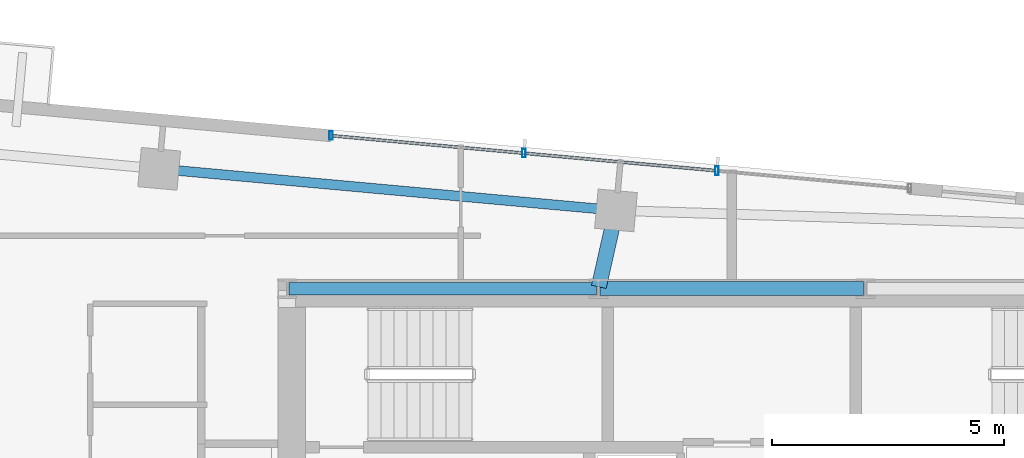
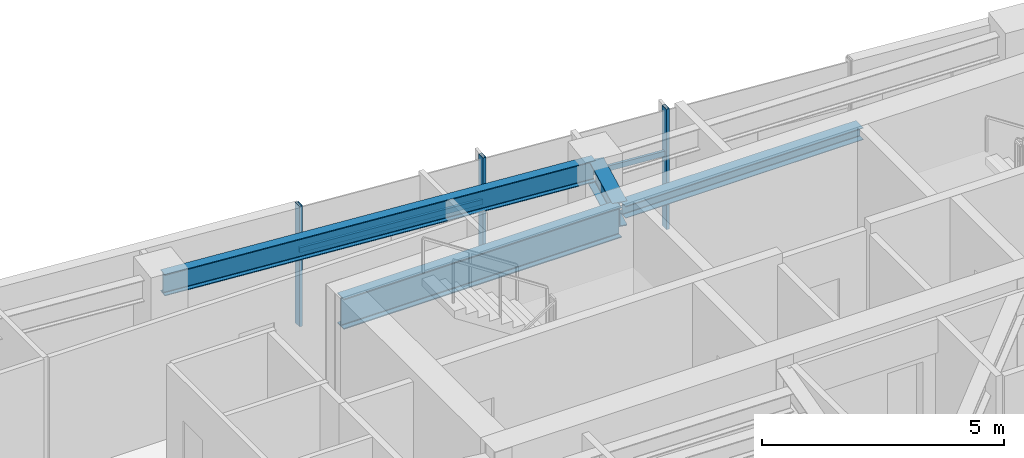
# One storey, part 10 of 22: 5 members, 4 beams, 1 element without a shape of its own.
"""IFC4 building model written with IfcOpenShell, lengths in metres."""

from ifc_helpers import new_model, si_unit, direction, frame, origin, origin_2d, place, context, subcontext, project, spatial, hollow_rectangle, i_section, extrude, source, transform, mapped, material, material_profile, profile_set, type_object, type_shapes, element, aggregate, save


model = new_model("IFC4")

# Units and contexts
model_context = context("Model", 3, precision=1e-05, world=origin(), true_north=direction((0.0, 1.0)))
body_context = subcontext(model_context, "Body", "Model", "MODEL_VIEW")
ifc_project = project(units=[si_unit("LENGTHUNIT", "METRE"), si_unit("AREAUNIT", "SQUARE_METRE"), si_unit("VOLUMEUNIT", "CUBIC_METRE"), si_unit("PLANEANGLEUNIT", "RADIAN"), si_unit("MASSUNIT", "GRAM", prefix="KILO")], contexts=[model_context])

# Site, building, storey
site_placement = place(None, origin())
site = spatial("IfcSite", under=ifc_project, at=site_placement, CompositionType="ELEMENT")
building_placement = place(site_placement, origin())
building = spatial("IfcBuilding", under=site, at=building_placement, Name="Astriad Promenade Condominiums", CompositionType="ELEMENT")
storey_placement = place(building_placement, frame((0.0, 0.0, 229.800048828125)))
storey = spatial("IfcBuildingStorey", under=building, at=storey_placement, Name="L66", CompositionType="ELEMENT", Elevation=229.800048828125)

# Beams
ifc_material_1 = material(Name="Steel ASTM A992 Grade 50", Category="steel")
ifc_material_profile_1 = material_profile(ifc_material_1, i_section(OverallWidth=0.267822265625, OverallDepth=0.76953125, WebThickness=0.015625, FlangeThickness=0.025390625, FilletRadius=0.021484375, at=origin_2d()), Name="W30X132")
ifc_profile_set_1 = profile_set([ifc_material_profile_1], Name="Steel ASTM A992 Grade 50")
beam_type_1 = type_object("IfcBeamType", Name="STEEL FLOOR GIRDER W30X132", PredefinedType="BEAM", material=ifc_profile_set_1)
shared_shape_1 = source(origin(), body_context, "Body", "SweptSolid", [
    extrude(i_section(OverallWidth=0.267822265625, OverallDepth=0.76953125, WebThickness=0.015625, FlangeThickness=0.025390625, FilletRadius=0.021484375, at=origin_2d()), origin(), (0.0, 0.0, 1.0), 6.64013671875),
])
type_shapes(beam_type_1, [shared_shape_1])
beam_1_placement = place(storey_placement, frame((26.43994140625, 24.0, 2.655029296875), z_axis=(1.0, 0.0, 0.0), x_axis=(0.0, 1.0, 0.0)))
element("IfcBeam", 1, at=beam_1_placement, inside=storey, type_object=beam_type_1, Name="Core Ring Beam CG-N1-L66", PredefinedType="BEAM", context=body_context, shape_type="MappedRepresentation", body=[
    mapped(shared_shape_1, transform((0.0, 0.0, 0.0), scale=1.0)),
])
ifc_material_profile_2 = material_profile(ifc_material_1, i_section(OverallWidth=0.3046875, OverallDepth=0.307861328125, WebThickness=0.010009765625, FlangeThickness=0.015380859375, FilletRadius=0.01513671875, at=origin_2d()), Name="W12X65")
ifc_profile_set_2 = profile_set([ifc_material_profile_2], Name="Steel ASTM A992 Grade 50")
beam_type_2 = type_object("IfcBeamType", Name="STEEL OPENING LINTEL W12X65", PredefinedType="LINTEL", material=ifc_profile_set_2)
shared_shape_2 = source(origin(), body_context, "Body", "SweptSolid", [
    extrude(i_section(OverallWidth=0.3046875, OverallDepth=0.307861328125, WebThickness=0.010009765625, FlangeThickness=0.015380859375, FilletRadius=0.01513671875, at=origin_2d()), origin(), (0.0, 0.0, 1.0), 5.68017578125),
])
type_shapes(beam_type_2, [shared_shape_2])
beam_2_placement = place(storey_placement, frame((33.159912109375, 24.0, 2.885986328125), z_axis=(1.0, 0.0, 0.0), x_axis=(0.0, 1.0, 0.0)))
element("IfcBeam", 2, at=beam_2_placement, inside=storey, type_object=beam_type_2, Name="Core Ring Beam CG-N2-L66", PredefinedType="LINTEL", context=body_context, shape_type="MappedRepresentation", body=[
    mapped(shared_shape_2, transform((0.0, 0.0, 0.0), scale=1.0)),
])
ifc_material_profile_3 = material_profile(ifc_material_1, i_section(OverallWidth=0.210693359375, OverallDepth=0.53955078125, WebThickness=0.01171875, FlangeThickness=0.018798828125, FilletRadius=0.0166015625, at=origin_2d()), Name="W21X73")
ifc_profile_set_3 = profile_set([ifc_material_profile_3], Name="Steel ASTM A992 Grade 50")
beam_type_3 = type_object("IfcBeamType", Name="STEEL SPANDREL BEAM W21X73", PredefinedType="SPANDREL", material=ifc_profile_set_3)
shared_shape_3 = source(origin(), body_context, "Body", "SweptSolid", [
    extrude(i_section(OverallWidth=0.210693359375, OverallDepth=0.53955078125, WebThickness=0.01171875, FlangeThickness=0.018798828125, FilletRadius=0.0166015625, at=origin_2d()), origin(), (0.0, 0.0, 1.0), 9.820068359375),
])
type_shapes(beam_type_3, [shared_shape_3])
beam_3_placement = place(storey_placement, frame((33.4599609375, 25.69189453125, 2.770263671875), z_axis=(-0.995885663174, 0.090618683965, 0.0), x_axis=(-0.090618683965, -0.995885663174, 0.0)))
element("IfcBeam", 3, at=beam_3_placement, inside=storey, type_object=beam_type_3, Name="Perimeter Spandrel Beam SP-N2-L66", PredefinedType="SPANDREL", context=body_context, shape_type="MappedRepresentation", body=[
    mapped(shared_shape_3, transform((0.0, 0.0, 0.0), scale=1.0)),
])
ifc_material_profile_4 = material_profile(ifc_material_1, i_section(OverallWidth=0.326416015625, OverallDepth=0.621826171875, WebThickness=0.015380859375, FlangeThickness=0.0244140625, FilletRadius=0.017822265625, at=origin_2d()), Name="W24X131")
ifc_profile_set_4 = profile_set([ifc_material_profile_4], Name="Steel ASTM A992 Grade 50")
beam_type_4 = type_object("IfcBeamType", Name="STEEL FLOOR GIRDER W24X131", PredefinedType="BEAM", material=ifc_profile_set_4)
shared_shape_4 = source(origin(), body_context, "Body", "SweptSolid", [
    extrude(i_section(OverallWidth=0.326416015625, OverallDepth=0.621826171875, WebThickness=0.015380859375, FlangeThickness=0.0244140625, FilletRadius=0.017822265625, at=origin_2d()), origin(), (0.0, 0.0, 1.0), 1.650390625),
])
type_shapes(beam_type_4, [shared_shape_4])
beam_4_placement = place(storey_placement, frame((33.490966796875, 25.649169921875, 2.72900390625), z_axis=(-0.219388986766, -0.975637469804, 0.0), x_axis=(0.975637469804, -0.219388986766, 0.0)))
element("IfcBeam", 4, at=beam_4_placement, inside=storey, type_object=beam_type_4, Name="Primary Floor Girder PG-NC-L66", PredefinedType="BEAM", context=body_context, shape_type="MappedRepresentation", body=[
    mapped(shared_shape_4, transform((0.0, 0.0, 0.0), scale=1.0)),
])

# Curtain wall, members
ifc_material_2 = material(Name="Anodised aluminium Black Dark Glass Unitised", Category="aluminium")
curtain_wall_type = type_object("IfcCurtainWallType", Name="CW-B5-DARK", PredefinedType="USERDEFINED", material=ifc_material_2)
curtain_wall_placement = place(storey_placement, origin())
curtain_wall = element("IfcCurtainWall", 5, at=curtain_wall_placement, inside=storey, type_object=curtain_wall_type, Name="CW-L66-N", ObjectType="UNITISED_CURTAIN_WALL", PredefinedType="USERDEFINED")
ifc_material_3 = material(Name="Anodised aluminium 6063-T6 Black", Category="aluminium")
ifc_material_profile_5 = material_profile(ifc_material_3, hollow_rectangle(XDim=0.06494140625, YDim=0.1298828125, WallThickness=0.00390625, at=origin_2d()), Name="ALU-TRN-65X130")
ifc_profile_set_5 = profile_set([ifc_material_profile_5], Name="Anodised aluminium 6063-T6 Black")
member_type_1 = type_object("IfcMemberType", Name="TRN-ALU-TRN-65X130", PredefinedType="USERDEFINED", material=ifc_profile_set_5)
shared_shape_5 = source(origin(), body_context, "Body", "SweptSolid", [
    extrude(hollow_rectangle(XDim=0.06494140625, YDim=0.1298828125, WallThickness=0.00390625, at=origin_2d()), origin(), (0.0, 0.0, 1.0), 4.179931640625),
])
type_shapes(member_type_1, [shared_shape_5])
member_1_placement = place(storey_placement, frame((27.3505859375, 27.30224609375, 1.884765625), z_axis=(0.995883146811, -0.090646334165, 0.0), x_axis=(0.090646334165, 0.995883146811, 0.0)))
member_1 = element("IfcMember", 6, at=member_1_placement, type_object=member_type_1, Name="CW-L66-N-TRN-00-0", ObjectType="TRANSOM", PredefinedType="USERDEFINED", context=body_context, shape_type="MappedRepresentation", body=[
    mapped(shared_shape_5, transform((0.0, 0.0, 0.0), scale=1.0)),
])
member_2_placement = place(storey_placement, frame((31.513427734375, 26.92333984375, 1.884765625), z_axis=(0.995883146811, -0.090646334165, 0.0), x_axis=(0.090646334165, 0.995883146811, 0.0)))
member_2 = element("IfcMember", 7, at=member_2_placement, type_object=member_type_1, Name="CW-L66-N-TRN-01-0", ObjectType="TRANSOM", PredefinedType="USERDEFINED", context=body_context, shape_type="MappedRepresentation", body=[
    mapped(shared_shape_5, transform((0.0, 0.0, 0.0), scale=1.0)),
])
ifc_material_profile_6 = material_profile(ifc_material_3, hollow_rectangle(XDim=0.074951171875, YDim=0.18505859375, WallThickness=0.00439453125, at=origin_2d()), Name="ALU-MUL-75X185")
ifc_profile_set_6 = profile_set([ifc_material_profile_6], Name="Anodised aluminium 6063-T6 Black")
member_type_2 = type_object("IfcMemberType", Name="MUL-ALU-MUL-75X185", PredefinedType="MULLION", material=ifc_profile_set_6)
shared_shape_6 = source(origin(), body_context, "Body", "SweptSolid", [
    extrude(hollow_rectangle(XDim=0.074951171875, YDim=0.18505859375, WallThickness=0.00439453125, at=origin_2d()), origin(), (0.0, 0.0, 1.0), 3.0400390625),
])
type_shapes(member_type_2, [shared_shape_6])
member_3_placement = place(storey_placement, frame((27.3505859375, 27.30224609375, 0.0), z_axis=(0.0, 0.0, 1.0), x_axis=(1.0, 0.0, 0.0)))
member_3 = element("IfcMember", 8, at=member_3_placement, type_object=member_type_2, Name="CW-L66-N-MUL-00", PredefinedType="MULLION", context=body_context, shape_type="MappedRepresentation", body=[
    mapped(shared_shape_6, transform((0.0, 0.0, 0.0), scale=1.0)),
])
member_4_placement = place(storey_placement, frame((31.513427734375, 26.92333984375, 0.0), z_axis=(0.0, 0.0, 1.0), x_axis=(1.0, 0.0, 0.0)))
member_4 = element("IfcMember", 9, at=member_4_placement, type_object=member_type_2, Name="CW-L66-N-MUL-01", PredefinedType="MULLION", context=body_context, shape_type="MappedRepresentation", body=[
    mapped(shared_shape_6, transform((0.0, 0.0, 0.0), scale=1.0)),
])
member_5_placement = place(storey_placement, frame((35.67626953125, 26.54443359375, 0.0), z_axis=(0.0, 0.0, 1.0), x_axis=(1.0, 0.0, 0.0)))
member_5 = element("IfcMember", 10, at=member_5_placement, type_object=member_type_2, Name="CW-L66-N-MUL-02", PredefinedType="MULLION", context=body_context, shape_type="MappedRepresentation", body=[
    mapped(shared_shape_6, transform((0.0, 0.0, 0.0), scale=1.0)),
])
aggregate(curtain_wall, [member_3, member_4, member_5, member_1, member_2])

save(model, "model.ifc")
